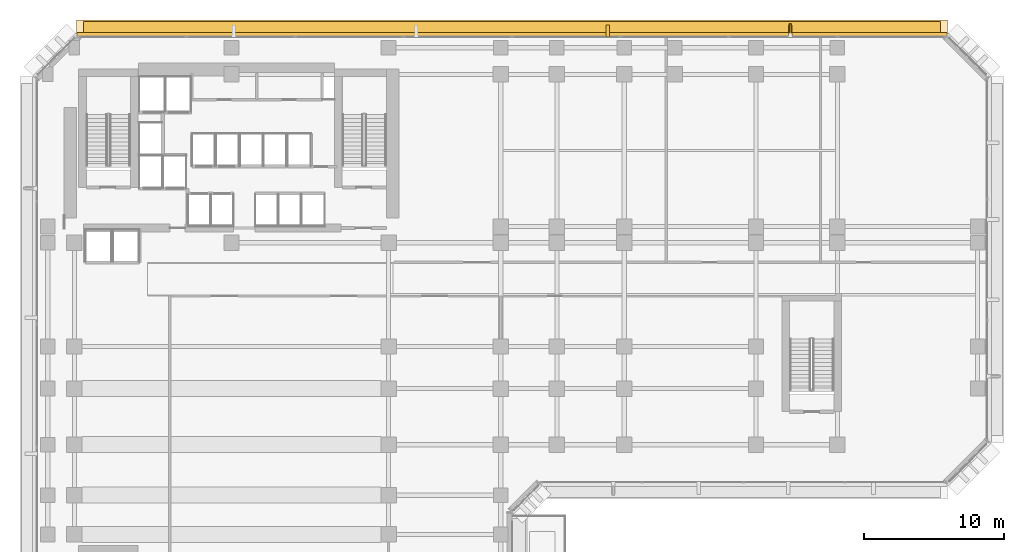
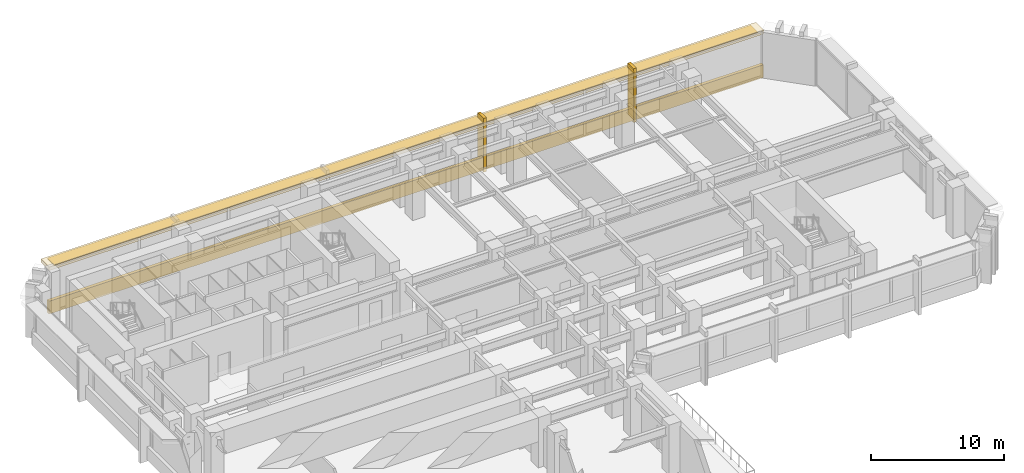
# One storey, part 15 of 16: 4 coverings, 2 shading devices.
"""IFC4 building model written with IfcOpenShell, lengths in metres."""

from ifc_helpers import new_model, si_unit, direction, frame, origin, origin_2d, place, context, subcontext, project, spatial, rectangle, extrude, material, layer, layer_set, material_profile, profile_set, type_object, element, save


model = new_model("IFC4")

# Units and contexts
model_context = context("Model", 3, precision=1e-05, world=origin(), true_north=direction((0.0, 1.0)))
body_context = subcontext(model_context, "Body", "Model", "MODEL_VIEW")
ifc_project = project(units=[si_unit("LENGTHUNIT", "METRE"), si_unit("AREAUNIT", "SQUARE_METRE"), si_unit("VOLUMEUNIT", "CUBIC_METRE"), si_unit("PLANEANGLEUNIT", "RADIAN"), si_unit("MASSUNIT", "GRAM", prefix="KILO")], contexts=[model_context])

# Site, building, storey
site_placement = place(None, origin())
site = spatial("IfcSite", under=ifc_project, at=site_placement, CompositionType="ELEMENT")
building_placement = place(site_placement, origin())
building = spatial("IfcBuilding", under=site, at=building_placement, Name="Kefirva Bronze Tower", CompositionType="ELEMENT")
storey_placement = place(building_placement, frame((0.0, 0.0, 21.1201171875)))
storey = spatial("IfcBuildingStorey", under=building, at=storey_placement, Name="L04", CompositionType="ELEMENT", Elevation=21.1201171875)

# Covering
ifc_material = material(Name="Bronze anodised aluminium", Category="aluminium")
ifc_layer_1 = layer(ifc_material, 0.02001953125, Name="Bronze anodised aluminium")
ifc_layer_set_1 = layer_set([ifc_layer_1], Name="Bronze anodised aluminium")
covering_type_1 = type_object("IfcCoveringType", Name="Anodised Bronze Spandrel Cladding 20mm", PredefinedType="CLADDING", material=ifc_layer_set_1)
covering_1_placement = place(storey_placement, frame((32.0, 48.0400390625, -0.16015625), z_axis=(0.0, 0.0, 1.0), x_axis=(-1.0, 0.0, 0.0)))
element("IfcCovering", 1, at=covering_1_placement, inside=storey, type_object=covering_type_1, Name="L04 Streamline Horizontal Spandrel Band 8", PredefinedType="CLADDING", context=body_context, shape_type="SweptSolid", body=[
    extrude(rectangle(XDim=62.0400390625, YDim=0.280029296875, at=origin_2d()), origin(), (0.0, 0.0, 1.0), 1.179931640625),
])

# Shading device
ifc_layer_2 = layer(ifc_material, 0.1201171875, Name="Bronze anodised aluminium")
ifc_layer_set_2 = layer_set([ifc_layer_2], Name="Bronze anodised aluminium")
shading_device_type_1 = type_object("IfcShadingDeviceType", Name="Podium Deep Bronze Canopy Sunshade 1050mm", PredefinedType="JALOUSIE", material=ifc_layer_set_2)
shading_device_1_placement = place(storey_placement, frame((32.0, 48.445068359375, 4.0947265625), z_axis=(0.0, 0.0, 1.0), x_axis=(-1.0, 0.0, 0.0)))
element("IfcShadingDevice", 2, at=shading_device_1_placement, inside=storey, type_object=shading_device_type_1, Name="L04 Horizontal Bronze Sunshade Band 8", PredefinedType="JALOUSIE", context=body_context, shape_type="SweptSolid", body=[
    extrude(rectangle(XDim=61.090087890625, YDim=1.050048828125, at=origin_2d()), origin(), (0.0, 0.0, 1.0), 0.090087890625),
])

# Coverings
ifc_layer_3 = layer(ifc_material, 0.179931640625, Name="Bronze anodised aluminium")
ifc_layer_set_3 = layer_set([ifc_layer_3], Name="Bronze anodised aluminium")
covering_type_2 = type_object("IfcCoveringType", Name="Streamline Bronze Sunshade Eyebrow Cladding 180mm", PredefinedType="CLADDING", material=ifc_layer_set_3)
covering_2_placement = place(storey_placement, frame((32.0, 48.4599609375, 3.8798828125), z_axis=(0.0, 0.0, 1.0), x_axis=(-1.0, 0.0, 0.0)))
element("IfcCovering", 3, at=covering_2_placement, inside=storey, type_object=covering_type_2, Name="L04 Streamline Bronze Sunshade Eyebrow 8", PredefinedType="CLADDING", context=body_context, shape_type="SweptSolid", body=[
    extrude(rectangle(XDim=62.080078125, YDim=1.239990234375, at=origin_2d()), origin(), (0.0, 0.0, 1.0), 0.320068359375),
])
ifc_layer_4 = layer(ifc_material, 0.260009765625, Name="Bronze anodised aluminium")
ifc_layer_set_4 = layer_set([ifc_layer_4], Name="Bronze anodised aluminium")
covering_type_3 = type_object("IfcCoveringType", Name="Unbroken Bronze Buttress Fin Cladding 260mm", PredefinedType="CLADDING", material=ifc_layer_set_4)
for number, where, z_axis, x_axis, name in (
    (4, (51.840087890625, 48.300048828125, -0.320068359375), (0.0, 0.0, 1.0), (-1.0, 0.0, 0.0), "L04 Unbroken Vertical Bronze Rib Fin 21"),
    (5, (38.820068359375, 48.300048828125, -0.320068359375), (0.0, 0.0, 1.0), (-1.0, 0.0, 0.0), "L04 Unbroken Vertical Bronze Rib Fin 22"),
):
    element("IfcCovering", number, at=place(storey_placement, frame(where, z_axis=z_axis, x_axis=x_axis)), inside=storey, type_object=covering_type_3, Name=name, PredefinedType="CLADDING", context=body_context, shape_type="SweptSolid", body=[
        extrude(rectangle(XDim=0.260009765625, YDim=0.8798828125, at=origin_2d()), origin(), (0.0, 0.0, 1.0), 4.93994140625),
    ])

# Shading device
ifc_material_profile = material_profile(ifc_material, rectangle(XDim=0.139892578125, YDim=0.8798828125, at=origin_2d()), Name="BRONZE FIN 140x880")
ifc_profile_set = profile_set([ifc_material_profile], Name="Bronze anodised aluminium")
shading_device_type_2 = type_object("IfcShadingDeviceType", Name="Unbroken Vertical Bronze Facade Fin 880mm", PredefinedType="USERDEFINED", material=ifc_profile_set)
shading_device_2_placement = place(storey_placement, frame((51.840087890625, 48.360107421875, -0.14013671875), z_axis=(0.0, 0.0, 1.0), x_axis=(-1.0, 0.0, 0.0)))
element("IfcShadingDevice", 6, at=shading_device_2_placement, inside=storey, type_object=shading_device_type_2, Name="L04 Vertical Bronze Rib Fin 21", ObjectType="VERTICAL FIN", PredefinedType="USERDEFINED", context=body_context, shape_type="SweptSolid", body=[
    extrude(rectangle(XDim=0.139892578125, YDim=0.8798828125, at=origin_2d()), origin(), (0.0, 0.0, 1.0), 4.340087890625),
])

save(model, "model.ifc")
